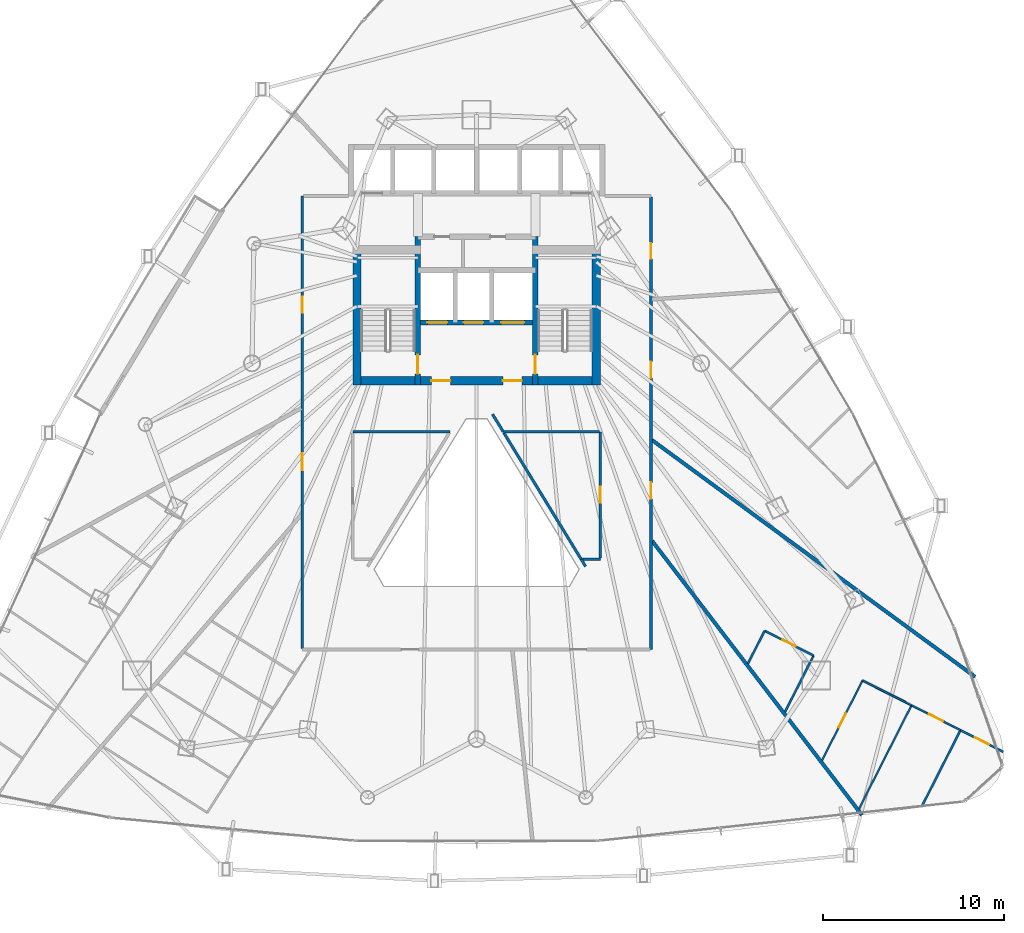
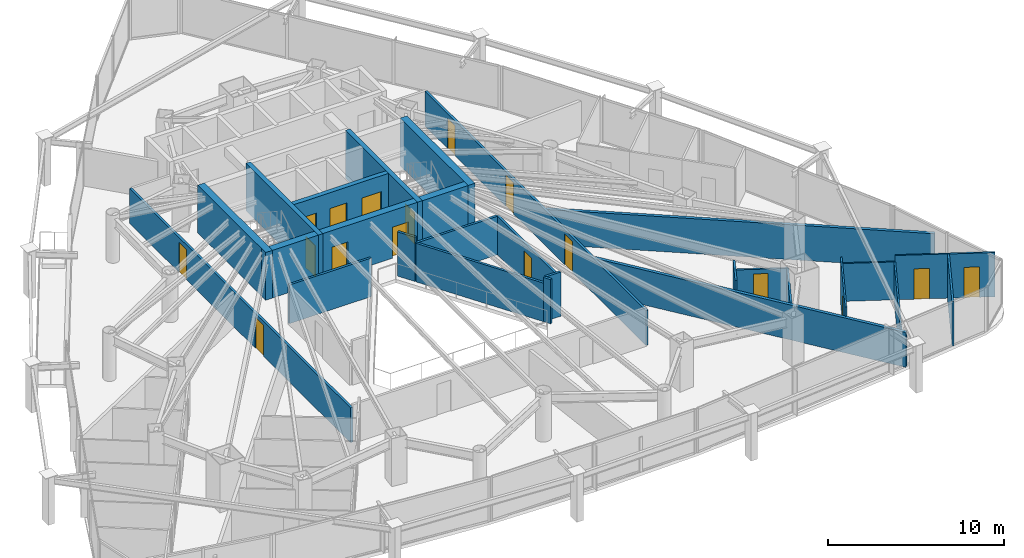
# One storey, part 30 of 35: 26 walls, 17 doors, 17 openings.
"""IFC4 building model written with IfcOpenShell, lengths in metres."""

from ifc_helpers import new_model, si_unit, direction, frame, frame_2d, origin, place, context, subcontext, project, spatial, rectangle, extrude, material, layer, layer_set, type_object, element, fill, save


model = new_model("IFC4")

# Units and contexts
model_context = context("Model", 3, precision=1e-05, world=origin(), true_north=direction((0.0, 1.0)))
body_context = subcontext(model_context, "Body", "Model", "MODEL_VIEW")
ifc_project = project(units=[si_unit("LENGTHUNIT", "METRE"), si_unit("AREAUNIT", "SQUARE_METRE"), si_unit("VOLUMEUNIT", "CUBIC_METRE"), si_unit("PLANEANGLEUNIT", "RADIAN"), si_unit("MASSUNIT", "GRAM", prefix="KILO")], contexts=[model_context])

# Site, building, storey
site_placement = place(None, origin())
site = spatial("IfcSite", under=ifc_project, at=site_placement, CompositionType="ELEMENT")
building_placement = place(site_placement, origin())
building = spatial("IfcBuilding", under=site, at=building_placement, Name="Orvanel Arch Residences", CompositionType="ELEMENT")
storey_placement = place(building_placement, frame((0.0, 0.0, 30.199951171875)))
storey = spatial("IfcBuildingStorey", under=building, at=storey_placement, Name="L07", CompositionType="ELEMENT", Elevation=30.199951171875)

# Wall, opening, door
ifc_material_1 = material(Name="Concrete S80 (80 MPa)", Category="concrete")
ifc_layer_1 = layer(ifc_material_1, 0.300048828125)
ifc_layer_set_1 = layer_set([ifc_layer_1], Name="Concrete S80 (80 MPa)")
wall_type_1 = type_object("IfcWallType", Name="SW-CORE-300", PredefinedType="SHEAR", material=ifc_layer_set_1)
wall_1_placement = place(storey_placement, frame((29.75, 26.449951171875, 0.0), z_axis=(0.0, 0.0, 1.0), x_axis=(0.0, 1.0, 0.0)))
wall_1 = element("IfcWall", 1, at=wall_1_placement, inside=storey, type_object=wall_type_1, Name="L07 West Inner Core Spine Shear Wall", PredefinedType="SHEAR", context=body_context, shape_type="SweptSolid", body=[
    extrude(rectangle(XDim=8.199951171875, YDim=0.300048828125, at=frame_2d((4.10009765625, 0.0))), origin(), (0.0, 0.0, 1.0), 3.300048828125),
])
opening_1_placement = place(wall_1_placement, frame((0.60009765625, 0.0, 0.0)))
opening_1 = element("IfcOpeningElement", 2, at=opening_1_placement, cuts=wall_1, Name="Opening DF-120", PredefinedType="OPENING", context=body_context, shape_type="SweptSolid", body=[
    extrude(rectangle(XDim=1.050048828125, YDim=2.14990234375, at=frame_2d((0.52490234375, 1.074951171875))), frame((0.0, 0.159912109375, 0.0), z_axis=(0.0, -1.0, 0.0), x_axis=(1.0, 0.0, 0.0)), (0.0, 0.0, 1.0), 0.320068359375),
])
ifc_material_2 = material(Name="Galvanised steel fire-resisting door assembly", Category="steel")
door_type_1 = type_object("IfcDoorType", Name="DR-FD120-1050", OperationType="NOTDEFINED", PredefinedType="DOOR", material=ifc_material_2)
door_1_placement = place(opening_1_placement, origin())
door_1 = element("IfcDoor", 3, at=door_1_placement, inside=storey, type_object=door_type_1, Name="DR-L07-ST1 L07 Stair 1 Fire Door", OperationType="SINGLE_SWING_LEFT", OverallHeight=2.14990234375, OverallWidth=1.050048828125, PredefinedType="DOOR", context=body_context, shape_type="SweptSolid", body=[
    extrude(rectangle(XDim=1.050048828125, YDim=2.14990234375, at=frame_2d((0.52490234375, 1.074951171875))), frame((0.0, 0.02490234375, 0.0), z_axis=(0.0, -1.0, 0.0), x_axis=(1.0, 0.0, 0.0)), (0.0, 0.0, 1.0), 0.050048828125),
])
fill(opening_1, door_1)

wall_2_placement = place(storey_placement, frame((36.25, 26.449951171875, 0.0), z_axis=(0.0, 0.0, 1.0), x_axis=(0.0, 1.0, 0.0)))
wall_2 = element("IfcWall", 4, at=wall_2_placement, inside=storey, type_object=wall_type_1, Name="L07 East Inner Core Spine Shear Wall", PredefinedType="SHEAR", context=body_context, shape_type="SweptSolid", body=[
    extrude(rectangle(XDim=8.199951171875, YDim=0.300048828125, at=frame_2d((4.10009765625, 0.0))), origin(), (0.0, 0.0, 1.0), 3.300048828125),
])
opening_2_placement = place(wall_2_placement, frame((0.60009765625, 0.0, 0.0)))
opening_2 = element("IfcOpeningElement", 5, at=opening_2_placement, cuts=wall_2, Name="Opening DF-120", PredefinedType="OPENING", context=body_context, shape_type="SweptSolid", body=[
    extrude(rectangle(XDim=1.050048828125, YDim=2.14990234375, at=frame_2d((0.52490234375, 1.074951171875))), frame((0.0, 0.159912109375, 0.0), z_axis=(0.0, -1.0, 0.0), x_axis=(1.0, 0.0, 0.0)), (0.0, 0.0, 1.0), 0.320068359375),
])
door_2_placement = place(opening_2_placement, origin())
door_2 = element("IfcDoor", 6, at=door_2_placement, inside=storey, type_object=door_type_1, Name="DR-L07-ST2 L07 Stair 2 Fire Door", OperationType="SINGLE_SWING_RIGHT", OverallHeight=2.14990234375, OverallWidth=1.050048828125, PredefinedType="DOOR", context=body_context, shape_type="SweptSolid", body=[
    extrude(rectangle(XDim=1.050048828125, YDim=2.14990234375, at=frame_2d((0.52490234375, 1.074951171875))), frame((0.0, 0.02490234375, 0.0), z_axis=(0.0, -1.0, 0.0), x_axis=(1.0, 0.0, 0.0)), (0.0, 0.0, 1.0), 0.050048828125),
])
fill(opening_2, door_2)

# Wall, openings, doors
wall_3_placement = place(storey_placement, frame((36.25, 29.89990234375, 0.0), z_axis=(0.0, 0.0, 1.0), x_axis=(-1.0, 0.0, 0.0)))
wall_3 = element("IfcWall", 7, at=wall_3_placement, inside=storey, type_object=wall_type_1, Name="L07 Emergency Lift Front Core Shear Wall", PredefinedType="SHEAR", context=body_context, shape_type="SweptSolid", body=[
    extrude(rectangle(XDim=6.5, YDim=0.300048828125, at=frame_2d((3.25, 0.0))), origin(), (0.0, 0.0, 1.0), 3.300048828125),
])
opening_3_placement = place(wall_3_placement, frame((4.875, 0.0, 0.0)))
opening_3 = element("IfcOpeningElement", 8, at=opening_3_placement, cuts=wall_3, Name="Opening LD-110", PredefinedType="OPENING", context=body_context, shape_type="SweptSolid", body=[
    extrude(rectangle(XDim=1.10009765625, YDim=2.199951171875, at=frame_2d((0.550048828125, 1.10009765625))), frame((0.0, 0.159912109375, 0.0), z_axis=(0.0, -1.0, 0.0), x_axis=(1.0, 0.0, 0.0)), (0.0, 0.0, 1.0), 0.320068359375),
])
opening_4_placement = place(wall_3_placement, frame((2.875, 0.0, 0.0)))
opening_4 = element("IfcOpeningElement", 9, at=opening_4_placement, cuts=wall_3, Name="Opening LD-110", PredefinedType="OPENING", context=body_context, shape_type="SweptSolid", body=[
    extrude(rectangle(XDim=1.10009765625, YDim=2.199951171875, at=frame_2d((0.550048828125, 1.10009765625))), frame((0.0, 0.159912109375, 0.0), z_axis=(0.0, -1.0, 0.0), x_axis=(1.0, 0.0, 0.0)), (0.0, 0.0, 1.0), 0.320068359375),
])
opening_5_placement = place(wall_3_placement, frame((0.60009765625, 0.0, 0.0)))
opening_5 = element("IfcOpeningElement", 10, at=opening_5_placement, cuts=wall_3, Name="Opening LD-130", PredefinedType="OPENING", context=body_context, shape_type="SweptSolid", body=[
    extrude(rectangle(XDim=1.300048828125, YDim=2.199951171875, at=frame_2d((0.64990234375, 1.10009765625))), frame((0.0, 0.159912109375, 0.0), z_axis=(0.0, -1.0, 0.0), x_axis=(1.0, 0.0, 0.0)), (0.0, 0.0, 1.0), 0.320068359375),
])
door_type_2 = type_object("IfcDoorType", Name="DR-LFT-1100", OperationType="NOTDEFINED", PredefinedType="DOOR", material=ifc_material_2)
door_3_placement = place(opening_3_placement, origin())
door_3 = element("IfcDoor", 11, at=door_3_placement, inside=storey, type_object=door_type_2, Name="LD-F1-L07 L07 Lift F1 Sliding Landing Door", OperationType="DOUBLE_DOOR_SLIDING", OverallHeight=2.199951171875, OverallWidth=1.10009765625, PredefinedType="DOOR", context=body_context, shape_type="SweptSolid", body=[
    extrude(rectangle(XDim=1.10009765625, YDim=2.199951171875, at=frame_2d((0.550048828125, 1.10009765625))), frame((0.0, 0.02490234375, 0.0), z_axis=(0.0, -1.0, 0.0), x_axis=(1.0, 0.0, 0.0)), (0.0, 0.0, 1.0), 0.050048828125),
])
fill(opening_3, door_3)
door_4_placement = place(opening_4_placement, origin())
door_4 = element("IfcDoor", 12, at=door_4_placement, inside=storey, type_object=door_type_2, Name="LD-F2-L07 L07 Lift F2 Sliding Landing Door", OperationType="DOUBLE_DOOR_SLIDING", OverallHeight=2.199951171875, OverallWidth=1.10009765625, PredefinedType="DOOR", context=body_context, shape_type="SweptSolid", body=[
    extrude(rectangle(XDim=1.10009765625, YDim=2.199951171875, at=frame_2d((0.550048828125, 1.10009765625))), frame((0.0, 0.02490234375, 0.0), z_axis=(0.0, -1.0, 0.0), x_axis=(1.0, 0.0, 0.0)), (0.0, 0.0, 1.0), 0.050048828125),
])
fill(opening_4, door_4)
door_type_3 = type_object("IfcDoorType", Name="DR-LFT-1300", OperationType="NOTDEFINED", PredefinedType="DOOR", material=ifc_material_2)
door_5_placement = place(opening_5_placement, origin())
door_5 = element("IfcDoor", 13, at=door_5_placement, inside=storey, type_object=door_type_3, Name="LD-G1-L07 L07 Lift G1 Sliding Landing Door", OperationType="DOUBLE_DOOR_SLIDING", OverallHeight=2.199951171875, OverallWidth=1.300048828125, PredefinedType="DOOR", context=body_context, shape_type="SweptSolid", body=[
    extrude(rectangle(XDim=1.300048828125, YDim=2.199951171875, at=frame_2d((0.64990234375, 1.10009765625))), frame((0.0, 0.02490234375, 0.0), z_axis=(0.0, -1.0, 0.0), x_axis=(1.0, 0.0, 0.0)), (0.0, 0.0, 1.0), 0.050048828125),
])
fill(opening_5, door_5)

ifc_layer_2 = layer(ifc_material_1, 0.449951171875)
ifc_layer_set_2 = layer_set([ifc_layer_2], Name="Concrete S80 (80 MPa)")
wall_type_2 = type_object("IfcWallType", Name="SW-CORE-450", PredefinedType="SHEAR", material=ifc_layer_set_2)
wall_4_placement = place(storey_placement, frame((26.14990234375, 26.675048828125, 0.0), z_axis=(0.0, 0.0, 1.0), x_axis=(1.0, 0.0, 0.0)))
wall_4 = element("IfcWall", 14, at=wall_4_placement, inside=storey, type_object=wall_type_2, Name="L07 South Core Shear Wall", PredefinedType="SHEAR", context=body_context, shape_type="SweptSolid", body=[
    extrude(rectangle(XDim=13.7001953125, YDim=0.449951171875, at=frame_2d((6.85009765625, 0.0))), origin(), (0.0, 0.0, 1.0), 3.300048828125),
])
opening_6_placement = place(wall_4_placement, frame((4.35009765625, 0.0, 0.0)))
opening_6 = element("IfcOpeningElement", 15, at=opening_6_placement, cuts=wall_4, Name="Opening DF-060", PredefinedType="OPENING", context=body_context, shape_type="SweptSolid", body=[
    extrude(rectangle(XDim=1.050048828125, YDim=2.14990234375, at=frame_2d((0.52490234375, 1.074951171875))), frame((0.0, 0.23486328125, 0.0), z_axis=(0.0, -1.0, 0.0), x_axis=(1.0, 0.0, 0.0)), (0.0, 0.0, 1.0), 0.469970703125),
])
opening_7_placement = place(wall_4_placement, frame((8.300048828125, 0.0, 0.0)))
opening_7 = element("IfcOpeningElement", 16, at=opening_7_placement, cuts=wall_4, Name="Opening DF-060", PredefinedType="OPENING", context=body_context, shape_type="SweptSolid", body=[
    extrude(rectangle(XDim=1.050048828125, YDim=2.14990234375, at=frame_2d((0.52490234375, 1.074951171875))), frame((0.0, 0.23486328125, 0.0), z_axis=(0.0, -1.0, 0.0), x_axis=(1.0, 0.0, 0.0)), (0.0, 0.0, 1.0), 0.469970703125),
])
door_type_4 = type_object("IfcDoorType", Name="DR-FD60-1050", OperationType="NOTDEFINED", PredefinedType="DOOR", material=ifc_material_2)
door_6_placement = place(opening_6_placement, origin())
door_6 = element("IfcDoor", 17, at=door_6_placement, inside=storey, type_object=door_type_4, Name="DR-L07-FFL-W L07 West Smoke Lobby Door", OperationType="SINGLE_SWING_LEFT", OverallHeight=2.14990234375, OverallWidth=1.050048828125, PredefinedType="DOOR", context=body_context, shape_type="SweptSolid", body=[
    extrude(rectangle(XDim=1.050048828125, YDim=2.14990234375, at=frame_2d((0.52490234375, 1.074951171875))), frame((0.0, 0.02490234375, 0.0), z_axis=(0.0, -1.0, 0.0), x_axis=(1.0, 0.0, 0.0)), (0.0, 0.0, 1.0), 0.050048828125),
])
fill(opening_6, door_6)
door_7_placement = place(opening_7_placement, origin())
door_7 = element("IfcDoor", 18, at=door_7_placement, inside=storey, type_object=door_type_4, Name="DR-L07-FFL-E L07 East Smoke Lobby Door", OperationType="SINGLE_SWING_RIGHT", OverallHeight=2.14990234375, OverallWidth=1.050048828125, PredefinedType="DOOR", context=body_context, shape_type="SweptSolid", body=[
    extrude(rectangle(XDim=1.050048828125, YDim=2.14990234375, at=frame_2d((0.52490234375, 1.074951171875))), frame((0.0, 0.02490234375, 0.0), z_axis=(0.0, -1.0, 0.0), x_axis=(1.0, 0.0, 0.0)), (0.0, 0.0, 1.0), 0.050048828125),
])
fill(opening_7, door_7)

# Walls
for number, where, z_axis, x_axis, name in (
    (19, (26.375, 26.449951171875, 0.0), (0.0, 0.0, 1.0), (0.0, 1.0, 0.0), "L07 West Stair Shear Wall"),
    (20, (39.625, 26.449951171875, 0.0), (0.0, 0.0, 1.0), (0.0, 1.0, 0.0), "L07 East Stair Shear Wall"),
):
    element("IfcWall", number, at=place(storey_placement, frame(where, z_axis=z_axis, x_axis=x_axis)), inside=storey, type_object=wall_type_2, Name=name, PredefinedType="SHEAR", context=body_context, shape_type="SweptSolid", body=[
        extrude(rectangle(XDim=7.699951171875, YDim=0.449951171875, at=frame_2d((3.85009765625, 0.0))), origin(), (0.0, 0.0, 1.0), 3.300048828125),
    ])

# Wall, openings, doors
ifc_material_3 = material(Name="Fire-rated plasterboard lined steel stud partition", Category="steel")
ifc_layer_3 = layer(ifc_material_3, 0.14990234375)
ifc_layer_set_3 = layer_set([ifc_layer_3], Name="Fire-rated plasterboard lined steel stud partition")
wall_type_3 = type_object("IfcWallType", Name="W-COR-150", PredefinedType="PARTITIONING", material=ifc_layer_set_3)
wall_5_placement = place(storey_placement, frame((42.64990234375, 36.840087890625, 0.0), z_axis=(0.0, 0.0, 1.0), x_axis=(0.0, -1.0, 0.0)))
wall_5 = element("IfcWall", 21, at=wall_5_placement, inside=storey, type_object=wall_type_3, Name="L07 Corridor Fire-Rated Partition", PredefinedType="PARTITIONING", context=body_context, shape_type="SweptSolid", body=[
    extrude(rectangle(XDim=25.0400390625, YDim=0.14990234375, at=frame_2d((12.52001953125, 0.0))), origin(), (0.0, 0.0, 1.0), 2.4130859375),
])
opening_8_placement = place(wall_5_placement, frame((2.54296875, 0.0, 0.0)))
opening_8 = element("IfcOpeningElement", 22, at=opening_8_placement, cuts=wall_5, Name="Opening DI-088", PredefinedType="OPENING", context=body_context, shape_type="SweptSolid", body=[
    extrude(rectangle(XDim=0.8798828125, YDim=2.10009765625, at=frame_2d((0.43994140625, 1.050048828125))), frame((0.0, 0.0849609375, 0.0), z_axis=(0.0, -1.0, 0.0), x_axis=(1.0, 0.0, 0.0)), (0.0, 0.0, 1.0), 0.169921875),
])
opening_9_placement = place(wall_5_placement, frame((15.7900390625, 0.0, 0.0)))
opening_9 = element("IfcOpeningElement", 23, at=opening_9_placement, cuts=wall_5, Name="Opening DA-092", PredefinedType="OPENING", context=body_context, shape_type="SweptSolid", body=[
    extrude(rectangle(XDim=0.919921875, YDim=2.14990234375, at=frame_2d((0.4599609375, 1.074951171875))), frame((0.0, 0.0849609375, 0.0), z_axis=(0.0, -1.0, 0.0), x_axis=(1.0, 0.0, 0.0)), (0.0, 0.0, 1.0), 0.169921875),
])
opening_10_placement = place(wall_5_placement, frame((9.10302734375, 0.0, 0.0)))
opening_10 = element("IfcOpeningElement", 24, at=opening_10_placement, cuts=wall_5, Name="Opening DA-092", PredefinedType="OPENING", context=body_context, shape_type="SweptSolid", body=[
    extrude(rectangle(XDim=0.919921875, YDim=2.14990234375, at=frame_2d((0.4599609375, 1.074951171875))), frame((0.0, 0.0849609375, 0.0), z_axis=(0.0, -1.0, 0.0), x_axis=(1.0, 0.0, 0.0)), (0.0, 0.0, 1.0), 0.169921875),
])
ifc_material_4 = material(Name="Solid-core European oak veneer fire door leaf", Category="wood")
door_type_5 = type_object("IfcDoorType", Name="DR-APT-920", OperationType="NOTDEFINED", PredefinedType="DOOR", material=ifc_material_4)
door_8_placement = place(opening_9_placement, origin())
door_8 = element("IfcDoor", 25, at=door_8_placement, inside=storey, type_object=door_type_5, Name="DR-L07-E-ENT L07 Flat E Entrance Door", OperationType="SINGLE_SWING_RIGHT", OverallHeight=2.14990234375, OverallWidth=0.919921875, PredefinedType="DOOR", context=body_context, shape_type="SweptSolid", body=[
    extrude(rectangle(XDim=0.919921875, YDim=2.14990234375, at=frame_2d((0.4599609375, 1.074951171875))), frame((0.0, 0.02490234375, 0.0), z_axis=(0.0, -1.0, 0.0), x_axis=(1.0, 0.0, 0.0)), (0.0, 0.0, 1.0), 0.050048828125),
])
fill(opening_9, door_8)
door_9_placement = place(opening_10_placement, origin())
door_9 = element("IfcDoor", 26, at=door_9_placement, inside=storey, type_object=door_type_5, Name="DR-L07-F-ENT L07 Flat F Entrance Door", OperationType="SINGLE_SWING_LEFT", OverallHeight=2.14990234375, OverallWidth=0.919921875, PredefinedType="DOOR", context=body_context, shape_type="SweptSolid", body=[
    extrude(rectangle(XDim=0.919921875, YDim=2.14990234375, at=frame_2d((0.4599609375, 1.074951171875))), frame((0.0, 0.02490234375, 0.0), z_axis=(0.0, -1.0, 0.0), x_axis=(1.0, 0.0, 0.0)), (0.0, 0.0, 1.0), 0.050048828125),
])
fill(opening_10, door_9)
door_type_6 = type_object("IfcDoorType", Name="DR-INT-880", OperationType="NOTDEFINED", PredefinedType="DOOR", material=ifc_material_4)
door_10_placement = place(opening_8_placement, origin())
door_10 = element("IfcDoor", 27, at=door_10_placement, inside=storey, type_object=door_type_6, Name="DR-L07-SHRD-FB2 L07 Co-Working Study Office B Door", OperationType="SINGLE_SWING_LEFT", OverallHeight=2.10009765625, OverallWidth=0.8798828125, PredefinedType="DOOR", context=body_context, shape_type="SweptSolid", body=[
    extrude(rectangle(XDim=0.8798828125, YDim=2.10009765625, at=frame_2d((0.43994140625, 1.050048828125))), frame((0.0, 0.02490234375, 0.0), z_axis=(0.0, -1.0, 0.0), x_axis=(1.0, 0.0, 0.0)), (0.0, 0.0, 1.0), 0.050048828125),
])
fill(opening_8, door_10)

wall_6_placement = place(storey_placement, frame((23.35009765625, 11.860107421875, 0.0), z_axis=(0.0, 0.0, 1.0), x_axis=(0.0, 1.0, 0.0)))
wall_6 = element("IfcWall", 28, at=wall_6_placement, inside=storey, type_object=wall_type_3, Name="L07 Corridor Fire-Rated Partition", PredefinedType="PARTITIONING", context=body_context, shape_type="SweptSolid", body=[
    extrude(rectangle(XDim=25.039794921875, YDim=0.14990234375, at=frame_2d((12.52001953125, 0.0))), origin(), (0.0, 0.0, 1.0), 2.4130859375),
])
opening_11_placement = place(wall_6_placement, frame((9.8720703125, 0.0, 0.0)))
opening_11 = element("IfcOpeningElement", 29, at=opening_11_placement, cuts=wall_6, Name="Opening DA-092", PredefinedType="OPENING", context=body_context, shape_type="SweptSolid", body=[
    extrude(rectangle(XDim=0.919921875, YDim=2.14990234375, at=frame_2d((0.4599609375, 1.074951171875))), frame((0.0, 0.0849609375, 0.0), z_axis=(0.0, -1.0, 0.0), x_axis=(1.0, 0.0, 0.0)), (0.0, 0.0, 1.0), 0.169921875),
])
opening_12_placement = place(wall_6_placement, frame((18.577880859375, 0.0, 0.0)))
opening_12 = element("IfcOpeningElement", 30, at=opening_12_placement, cuts=wall_6, Name="Opening DI-088", PredefinedType="OPENING", context=body_context, shape_type="SweptSolid", body=[
    extrude(rectangle(XDim=0.8798828125, YDim=2.10009765625, at=frame_2d((0.43994140625, 1.050048828125))), frame((0.0, 0.0849609375, 0.0), z_axis=(0.0, -1.0, 0.0), x_axis=(1.0, 0.0, 0.0)), (0.0, 0.0, 1.0), 0.169921875),
])
door_11_placement = place(opening_11_placement, origin())
door_11 = element("IfcDoor", 31, at=door_11_placement, inside=storey, type_object=door_type_5, Name="DR-L07-C-ENT L07 Flat C Entrance Door", OperationType="SINGLE_SWING_RIGHT", OverallHeight=2.14990234375, OverallWidth=0.919921875, PredefinedType="DOOR", context=body_context, shape_type="SweptSolid", body=[
    extrude(rectangle(XDim=0.919921875, YDim=2.14990234375, at=frame_2d((0.4599609375, 1.074951171875))), frame((0.0, 0.02490234375, 0.0), z_axis=(0.0, -1.0, 0.0), x_axis=(1.0, 0.0, 0.0)), (0.0, 0.0, 1.0), 0.050048828125),
])
fill(opening_11, door_11)
door_12_placement = place(opening_12_placement, origin())
door_12 = element("IfcDoor", 32, at=door_12_placement, inside=storey, type_object=door_type_6, Name="DR-L07-SHRD-FB7 L07 Co-Working Study Office G Door", OperationType="SINGLE_SWING_LEFT", OverallHeight=2.10009765625, OverallWidth=0.8798828125, PredefinedType="DOOR", context=body_context, shape_type="SweptSolid", body=[
    extrude(rectangle(XDim=0.8798828125, YDim=2.10009765625, at=frame_2d((0.43994140625, 1.050048828125))), frame((0.0, 0.02490234375, 0.0), z_axis=(0.0, -1.0, 0.0), x_axis=(1.0, 0.0, 0.0)), (0.0, 0.0, 1.0), 0.050048828125),
])
fill(opening_12, door_12)

# Walls
wall_7_placement = place(storey_placement, frame((31.52294921875, 23.85009765625, 0.0), z_axis=(0.0, 0.0, 1.0), x_axis=(-1.0, 0.0, 0.0)))
element("IfcWall", 33, at=wall_7_placement, inside=storey, type_object=wall_type_3, Name="L07 Corridor Fire-Rated Partition", PredefinedType="PARTITIONING", context=body_context, shape_type="SweptSolid", body=[
    extrude(rectangle(XDim=5.373046875, YDim=0.14990234375, at=frame_2d((2.6865234375, 0.0))), origin(), (0.0, 0.0, 1.0), 2.6689453125),
])
wall_8_placement = place(storey_placement, frame((39.030029296875, 16.39404296875, 0.0), z_axis=(0.0, 0.0, 1.0), x_axis=(-0.51343298076, 0.858129695482, 0.0)))
element("IfcWall", 34, at=wall_8_placement, inside=storey, type_object=wall_type_3, Name="L07 Corridor Fire-Rated Partition", PredefinedType="PARTITIONING", context=body_context, shape_type="SweptSolid", body=[
    extrude(rectangle(XDim=0.47314453125, YDim=0.14990234375, at=frame_2d((0.236572265625, 0.0))), origin(), (0.0, 0.0, 1.0), 3.06005859375),
])
wall_9_placement = place(storey_placement, frame((38.85693359375, 16.800048828125, 0.0), z_axis=(0.0, 0.0, 1.0), x_axis=(1.0, 0.0, 0.0)))
element("IfcWall", 35, at=wall_9_placement, inside=storey, type_object=wall_type_3, Name="L07 Corridor Fire-Rated Partition", PredefinedType="PARTITIONING", context=body_context, shape_type="SweptSolid", body=[
    extrude(rectangle(XDim=0.9931640625, YDim=0.14990234375, at=frame_2d((0.49658203125, 0.0))), origin(), (0.0, 0.0, 1.0), 3.06005859375),
])

# Wall, opening, door
wall_10_placement = place(storey_placement, frame((39.85009765625, 16.860107421875, 0.0), z_axis=(0.0, 0.0, 1.0), x_axis=(0.0, 1.0, 0.0)))
wall_10 = element("IfcWall", 36, at=wall_10_placement, inside=storey, type_object=wall_type_3, Name="L07 Corridor Fire-Rated Partition", PredefinedType="PARTITIONING", context=body_context, shape_type="SweptSolid", body=[
    extrude(rectangle(XDim=6.989990234375, YDim=0.14990234375, at=frame_2d((3.4951171875, 0.0))), origin(), (0.0, 0.0, 1.0), 2.6689453125),
])
opening_13_placement = place(wall_10_placement, frame((3.054931640625, 0.0, 0.0)))
opening_13 = element("IfcOpeningElement", 37, at=opening_13_placement, cuts=wall_10, Name="Opening DI-088", PredefinedType="OPENING", context=body_context, shape_type="SweptSolid", body=[
    extrude(rectangle(XDim=0.8798828125, YDim=2.10009765625, at=frame_2d((0.43994140625, 1.050048828125))), frame((0.0, 0.0849609375, 0.0), z_axis=(0.0, -1.0, 0.0), x_axis=(1.0, 0.0, 0.0)), (0.0, 0.0, 1.0), 0.169921875),
])
door_13_placement = place(opening_13_placement, origin())
door_13 = element("IfcDoor", 38, at=door_13_placement, inside=storey, type_object=door_type_6, Name="DR-L07-SHRD-FB8 L07 Co-Working Study Office H Door", OperationType="SINGLE_SWING_LEFT", OverallHeight=2.10009765625, OverallWidth=0.8798828125, PredefinedType="DOOR", context=body_context, shape_type="SweptSolid", body=[
    extrude(rectangle(XDim=0.8798828125, YDim=2.10009765625, at=frame_2d((0.43994140625, 1.050048828125))), frame((0.0, 0.02490234375, 0.0), z_axis=(0.0, -1.0, 0.0), x_axis=(1.0, 0.0, 0.0)), (0.0, 0.0, 1.0), 0.050048828125),
])
fill(opening_13, door_13)

# Walls
wall_11_placement = place(storey_placement, frame((39.7900390625, 23.85009765625, 0.0), z_axis=(0.0, 0.0, 1.0), x_axis=(-1.0, 0.0, 0.0)))
element("IfcWall", 39, at=wall_11_placement, inside=storey, type_object=wall_type_3, Name="L07 Corridor Fire-Rated Partition", PredefinedType="PARTITIONING", context=body_context, shape_type="SweptSolid", body=[
    extrude(rectangle(XDim=5.31298828125, YDim=0.14990234375, at=frame_2d((2.656494140625, 0.0))), origin(), (0.0, 0.0, 1.0), 2.6689453125),
])
wall_12_placement = place(storey_placement, frame((34.47705078125, 23.85107421875, 0.0), z_axis=(0.0, 0.0, 1.0), x_axis=(-0.52541513414, 0.8508460124, 0.0)))
element("IfcWall", 40, at=wall_12_placement, inside=storey, type_object=wall_type_3, Name="L07 Corridor Fire-Rated Partition", PredefinedType="PARTITIONING", context=body_context, shape_type="SweptSolid", body=[
    extrude(rectangle(XDim=1.136474609375, YDim=0.14990234375, at=frame_2d((0.568359375, 0.0))), origin(), (0.0, 0.0, 1.0), 3.06005859375),
])
wall_13_placement = place(storey_placement, frame((34.508056640625, 23.7900390625, 0.0), z_axis=(0.0, 0.0, 1.0), x_axis=(0.52163195406, -0.853170618636, 0.0)))
element("IfcWall", 41, at=wall_13_placement, inside=storey, type_object=wall_type_3, Name="L07 Atrium Overlook Glazed Partition", PredefinedType="PARTITIONING", context=body_context, shape_type="SweptSolid", body=[
    extrude(rectangle(XDim=8.1953125, YDim=0.14990234375, at=frame_2d((4.09765625, 0.0))), origin(), (0.0, 0.0, 1.0), 2.6689453125),
])
ifc_layer_4 = layer(ifc_material_3, 0.199951171875)
ifc_layer_set_4 = layer_set([ifc_layer_4], Name="Fire-rated plasterboard lined steel stud partition")
wall_type_4 = type_object("IfcWallType", Name="W-DEM-200", PredefinedType="PARTITIONING", material=ifc_layer_set_4)
wall_14_placement = place(storey_placement, frame((42.7099609375, 17.81298828125, 0.0), z_axis=(0.0, 0.0, 1.0), x_axis=(0.607788570878, -0.794098893784, 0.0)))
element("IfcWall", 42, at=wall_14_placement, inside=storey, type_object=wall_type_4, Name="L07 Inter-Tenancy Acoustic Demising Wall", PredefinedType="PARTITIONING", context=body_context, shape_type="SweptSolid", body=[
    extrude(rectangle(XDim=19.113525390625, YDim=0.199951171875, at=frame_2d((9.556640625, 0.0))), origin(), (0.0, 0.0, 1.0), 2.4130859375),
])
wall_15_placement = place(storey_placement, frame((42.7099609375, 23.386962890625, 0.0), z_axis=(0.0, 0.0, 1.0), x_axis=(0.806713303584, -0.590943014021, 0.0)))
element("IfcWall", 43, at=wall_15_placement, inside=storey, type_object=wall_type_4, Name="L07 Inter-Tenancy Acoustic Demising Wall", PredefinedType="PARTITIONING", context=body_context, shape_type="SweptSolid", body=[
    extrude(rectangle(XDim=22.17138671875, YDim=0.199951171875, at=frame_2d((11.085693359375, 0.0))), origin(), (0.0, 0.0, 1.0), 2.4130859375),
])

# Wall, opening, door
ifc_material_5 = material(Name="Acoustic plasterboard lined twin-stud partition", Category="gypsum")
ifc_layer_5 = layer(ifc_material_5, 0.10009765625)
ifc_layer_set_5 = layer_set([ifc_layer_5], Name="Acoustic plasterboard lined twin-stud partition")
wall_type_5 = type_object("IfcWallType", Name="W-INT-100", PredefinedType="PARTITIONING", material=ifc_layer_set_5)
wall_16_placement = place(storey_placement, frame((59.783935546875, 7.3330078125, 0.0), z_axis=(0.0, 0.0, 1.0), x_axis=(-0.891842269509, 0.452346511336, 0.0)))
wall_16 = element("IfcWall", 44, at=wall_16_placement, inside=storey, type_object=wall_type_5, Name="L07 Flat E Internal Partition", PredefinedType="PARTITIONING", context=body_context, shape_type="SweptSolid", body=[
    extrude(rectangle(XDim=3.039794921875, YDim=0.10009765625, at=frame_2d((1.52001953125, 0.0))), origin(), (0.0, 0.0, 1.0), 3.06005859375),
])
opening_14_placement = place(wall_16_placement, frame((1.080078125, 0.0, 0.0)))
opening_14 = element("IfcOpeningElement", 45, at=opening_14_placement, cuts=wall_16, Name="Opening DI-088", PredefinedType="OPENING", context=body_context, shape_type="SweptSolid", body=[
    extrude(rectangle(XDim=0.8798828125, YDim=2.10009765625, at=frame_2d((0.43994140625, 1.050048828125))), frame((0.0, 0.06005859375, 0.0), z_axis=(0.0, -1.0, 0.0), x_axis=(1.0, 0.0, 0.0)), (0.0, 0.0, 1.0), 0.1201171875),
])
door_14_placement = place(opening_14_placement, origin())
door_14 = element("IfcDoor", 46, at=door_14_placement, inside=storey, type_object=door_type_6, Name="DR-L07-E-BED1 L07 Flat E Bedroom 1 Door", OperationType="SINGLE_SWING_LEFT", OverallHeight=2.10009765625, OverallWidth=0.8798828125, PredefinedType="DOOR", context=body_context, shape_type="SweptSolid", body=[
    extrude(rectangle(XDim=0.8798828125, YDim=2.10009765625, at=frame_2d((0.43994140625, 1.050048828125))), frame((0.0, 0.02490234375, 0.0), z_axis=(0.0, -1.0, 0.0), x_axis=(1.0, 0.0, 0.0)), (0.0, 0.0, 1.0), 0.050048828125),
])
fill(opening_14, door_14)

# Wall
wall_17_placement = place(storey_placement, frame((57.072998046875, 8.7080078125, 0.0), z_axis=(0.0, 0.0, 1.0), x_axis=(-0.891842269509, 0.452346511336, 0.0)))
element("IfcWall", 47, at=wall_17_placement, inside=storey, type_object=wall_type_5, Name="L07 Flat E Internal Partition", PredefinedType="PARTITIONING", context=body_context, shape_type="SweptSolid", body=[
    extrude(rectangle(XDim=3.039794921875, YDim=0.10009765625, at=frame_2d((1.52001953125, 0.0))), origin(), (0.0, 0.0, 1.0), 2.619140625),
])

# Wall, opening, door
wall_18_placement = place(storey_placement, frame((54.362060546875, 10.0830078125, 0.0), z_axis=(0.0, 0.0, 1.0), x_axis=(-0.452306340277, -0.891862643317, 0.0)))
wall_18 = element("IfcWall", 48, at=wall_18_placement, inside=storey, type_object=wall_type_5, Name="L07 Flat E Internal Partition", PredefinedType="PARTITIONING", context=body_context, shape_type="SweptSolid", body=[
    extrude(rectangle(XDim=4.95947265625, YDim=0.10009765625, at=frame_2d((2.479736328125, 0.0))), origin(), (0.0, 0.0, 1.0), 3.06005859375),
])
opening_15_placement = place(wall_18_placement, frame((2.0400390625, 0.0, 0.0)))
opening_15 = element("IfcOpeningElement", 49, at=opening_15_placement, cuts=wall_18, Name="Opening DI-088", PredefinedType="OPENING", context=body_context, shape_type="SweptSolid", body=[
    extrude(rectangle(XDim=0.8798828125, YDim=2.10009765625, at=frame_2d((0.43994140625, 1.050048828125))), frame((0.0, 0.06005859375, 0.0), z_axis=(0.0, -1.0, 0.0), x_axis=(1.0, 0.0, 0.0)), (0.0, 0.0, 1.0), 0.1201171875),
])
door_15_placement = place(opening_15_placement, origin())
door_15 = element("IfcDoor", 50, at=door_15_placement, inside=storey, type_object=door_type_6, Name="DR-L07-E-DIN2 L07 Flat E Dining Room 2 Door", OperationType="SINGLE_SWING_LEFT", OverallHeight=2.10009765625, OverallWidth=0.8798828125, PredefinedType="DOOR", context=body_context, shape_type="SweptSolid", body=[
    extrude(rectangle(XDim=0.8798828125, YDim=2.10009765625, at=frame_2d((0.43994140625, 1.050048828125))), frame((0.0, 0.02490234375, 0.0), z_axis=(0.0, -1.0, 0.0), x_axis=(1.0, 0.0, 0.0)), (0.0, 0.0, 1.0), 0.050048828125),
])
fill(opening_15, door_15)

# Walls
wall_19_placement = place(storey_placement, frame((54.16796875, 2.98193359375, 0.0), z_axis=(0.0, 0.0, 1.0), x_axis=(0.452437935158, 0.891795893033, 0.0)))
element("IfcWall", 51, at=wall_19_placement, inside=storey, type_object=wall_type_5, Name="L07 Flat E Internal Partition", PredefinedType="PARTITIONING", context=body_context, shape_type="SweptSolid", body=[
    extrude(rectangle(XDim=6.4208984375, YDim=0.10009765625, at=frame_2d((3.21044921875, 0.0))), origin(), (0.0, 0.0, 1.0), 2.619140625),
])
ifc_layer_6 = layer(ifc_material_5, 0.1201171875)
ifc_layer_set_6 = layer_set([ifc_layer_6], Name="Acoustic plasterboard lined twin-stud partition")
wall_type_6 = type_object("IfcWallType", Name="W-WET-120", PredefinedType="PARTITIONING", material=ifc_layer_set_6)
wall_20_placement = place(storey_placement, frame((50.069091796875, 8.337890625, 0.0), z_axis=(0.0, 0.0, 1.0), x_axis=(0.45217581214, 0.891928828391, 0.0)))
element("IfcWall", 52, at=wall_20_placement, inside=storey, type_object=wall_type_6, Name="L07 Flat E Bathroom Partition", PredefinedType="PARTITIONING", context=body_context, shape_type="SweptSolid", body=[
    extrude(rectangle(XDim=3.498046875, YDim=0.1201171875, at=frame_2d((1.7490234375, 0.0))), origin(), (0.0, 0.0, 1.0), 2.4130859375),
])

# Wall, opening, door
wall_21_placement = place(storey_placement, frame((51.65087890625, 11.4580078125, 0.0), z_axis=(0.0, 0.0, 1.0), x_axis=(-0.891842269509, 0.452346511336, 0.0)))
wall_21 = element("IfcWall", 53, at=wall_21_placement, inside=storey, type_object=wall_type_6, Name="L07 Flat E Bathroom Partition", PredefinedType="PARTITIONING", context=body_context, shape_type="SweptSolid", body=[
    extrude(rectangle(XDim=3.039794921875, YDim=0.1201171875, at=frame_2d((1.52001953125, 0.0))), origin(), (0.0, 0.0, 1.0), 2.4130859375),
])
opening_16_placement = place(wall_21_placement, frame((1.110107421875, 0.0, 0.0)))
opening_16 = element("IfcOpeningElement", 54, at=opening_16_placement, cuts=wall_21, Name="Opening DW-082", PredefinedType="OPENING", context=body_context, shape_type="SweptSolid", body=[
    extrude(rectangle(XDim=0.820068359375, YDim=2.10009765625, at=frame_2d((0.41015625, 1.050048828125))), frame((0.0, 0.070068359375, 0.0), z_axis=(0.0, -1.0, 0.0), x_axis=(1.0, 0.0, 0.0)), (0.0, 0.0, 1.0), 0.14013671875),
])
door_type_7 = type_object("IfcDoorType", Name="DR-WET-820", OperationType="NOTDEFINED", PredefinedType="DOOR", material=ifc_material_4)
door_16_placement = place(opening_16_placement, origin())
door_16 = element("IfcDoor", 55, at=door_16_placement, inside=storey, type_object=door_type_7, Name="DR-L07-E-BATH L07 Flat E Bathroom Door", OperationType="SINGLE_SWING_RIGHT", OverallHeight=2.10009765625, OverallWidth=0.820068359375, PredefinedType="DOOR", context=body_context, shape_type="SweptSolid", body=[
    extrude(rectangle(XDim=0.820068359375, YDim=2.10009765625, at=frame_2d((0.41015625, 1.050048828125))), frame((0.0, 0.02490234375, 0.0), z_axis=(0.0, -1.0, 0.0), x_axis=(1.0, 0.0, 0.0)), (0.0, 0.0, 1.0), 0.050048828125),
])
fill(opening_16, door_16)

# Wall
wall_22_placement = place(storey_placement, frame((48.93994140625, 12.8330078125, 0.0), z_axis=(0.0, 0.0, 1.0), x_axis=(-0.452097038501, -0.891968759418, 0.0)))
element("IfcWall", 56, at=wall_22_placement, inside=storey, type_object=wall_type_6, Name="L07 Flat E Bathroom Partition", PredefinedType="PARTITIONING", context=body_context, shape_type="SweptSolid", body=[
    extrude(rectangle(XDim=2.036865234375, YDim=0.1201171875, at=frame_2d((1.0185546875, 0.0))), origin(), (0.0, 0.0, 1.0), 3.06005859375),
])

# Wall, opening, door
wall_23_placement = place(storey_placement, frame((62.153076171875, 6.132080078125, 0.0), z_axis=(0.0, 0.0, 1.0), x_axis=(-0.891950280654, 0.452133494491, 0.0)))
wall_23 = element("IfcWall", 57, at=wall_23_placement, inside=storey, type_object=wall_type_6, Name="L07 Flat E Internal Partition", PredefinedType="PARTITIONING", context=body_context, shape_type="SweptSolid", body=[
    extrude(rectangle(XDim=2.65625, YDim=0.1201171875, at=frame_2d((1.328125, 0.0))), origin(), (0.0, 0.0, 1.0), 3.06005859375),
])
opening_17_placement = place(wall_23_placement, frame((0.887939453125, 0.0, 0.0)))
opening_17 = element("IfcOpeningElement", 58, at=opening_17_placement, cuts=wall_23, Name="Opening DI-088", PredefinedType="OPENING", context=body_context, shape_type="SweptSolid", body=[
    extrude(rectangle(XDim=0.8798828125, YDim=2.10009765625, at=frame_2d((0.43994140625, 1.050048828125))), frame((0.0, 0.070068359375, 0.0), z_axis=(0.0, -1.0, 0.0), x_axis=(1.0, 0.0, 0.0)), (0.0, 0.0, 1.0), 0.14013671875),
])
door_17_placement = place(opening_17_placement, origin())
door_17 = element("IfcDoor", 59, at=door_17_placement, inside=storey, type_object=door_type_6, Name="DR-L07-E-KIT L07 Flat E Kitchen Door", OperationType="SINGLE_SWING_LEFT", OverallHeight=2.10009765625, OverallWidth=0.8798828125, PredefinedType="DOOR", context=body_context, shape_type="SweptSolid", body=[
    extrude(rectangle(XDim=0.8798828125, YDim=2.10009765625, at=frame_2d((0.43994140625, 1.050048828125))), frame((0.0, 0.02490234375, 0.0), z_axis=(0.0, -1.0, 0.0), x_axis=(1.0, 0.0, 0.0)), (0.0, 0.0, 1.0), 0.050048828125),
])
fill(opening_17, door_17)

# Wall
wall_24_placement = place(storey_placement, frame((57.623046875, 3.073974609375, 0.0), z_axis=(0.0, 0.0, 1.0), x_axis=(0.452460987707, 0.891784197328, 0.0)))
element("IfcWall", 60, at=wall_24_placement, inside=storey, type_object=wall_type_6, Name="L07 Flat E Internal Partition", PredefinedType="PARTITIONING", context=body_context, shape_type="SweptSolid", body=[
    extrude(rectangle(XDim=4.77587890625, YDim=0.1201171875, at=frame_2d((2.387939453125, 0.0))), origin(), (0.0, 0.0, 1.0), 3.06005859375),
])

save(model, "model.ifc")
